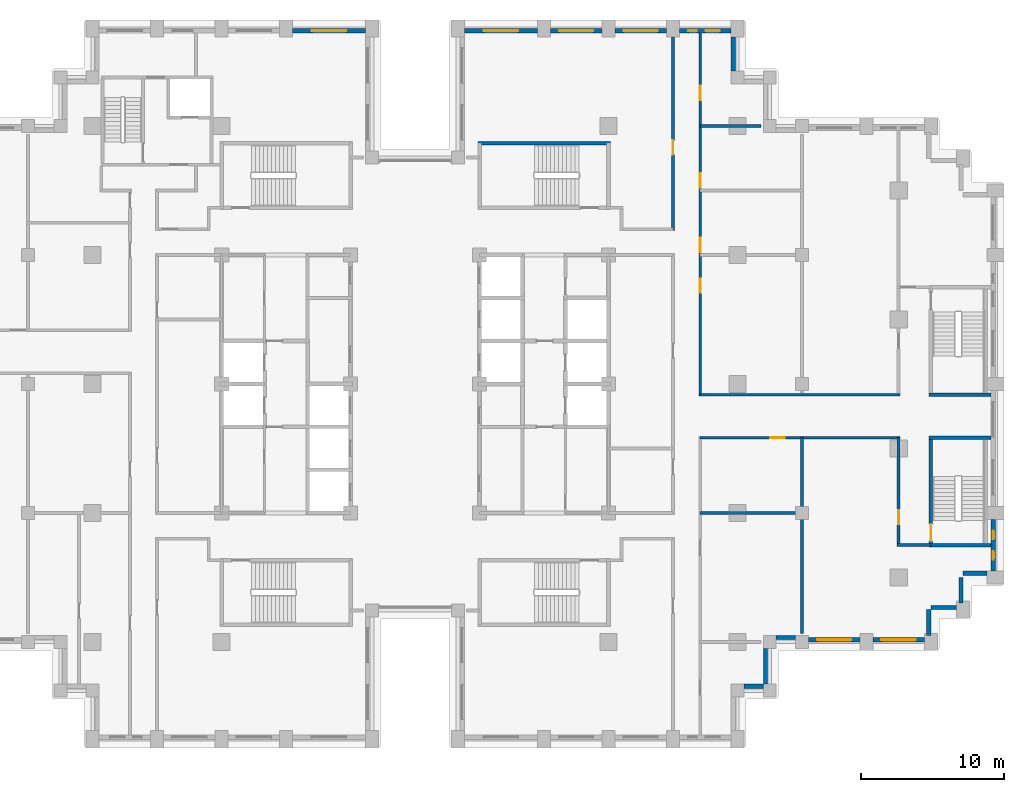
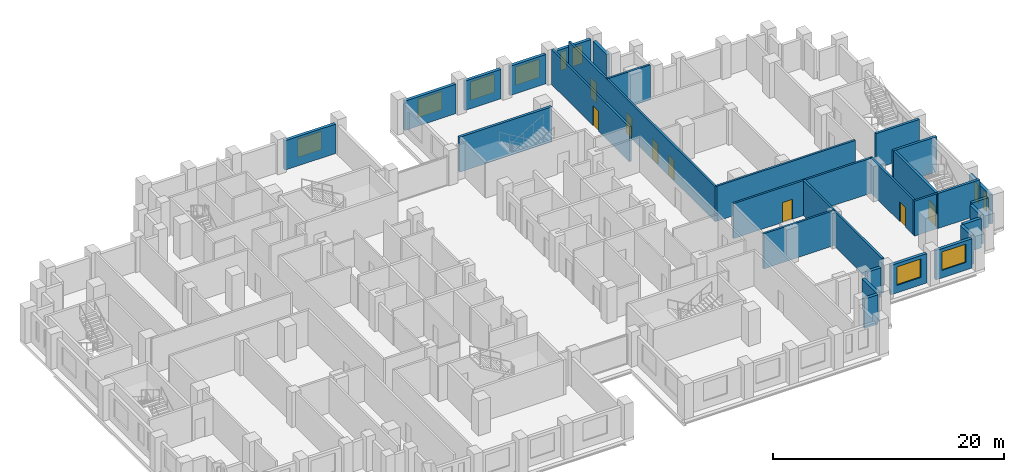
# One storey, part 11 of 15: 30 walls, 10 windows, 8 doors, 18 openings.
"""IFC4 building model written with IfcOpenShell, lengths in metres."""

from ifc_helpers import new_model, si_unit, direction, frame, frame_2d, origin, place, context, subcontext, project, spatial, rectangle, extrude, material, layer, layer_set, type_object, element, fill, save


model = new_model("IFC4")

# Units and contexts
model_context = context("Model", 3, precision=1e-05, world=origin(), true_north=direction((0.0, 1.0)))
body_context = subcontext(model_context, "Body", "Model", "MODEL_VIEW")
ifc_project = project(units=[si_unit("LENGTHUNIT", "METRE"), si_unit("AREAUNIT", "SQUARE_METRE"), si_unit("VOLUMEUNIT", "CUBIC_METRE"), si_unit("PLANEANGLEUNIT", "RADIAN"), si_unit("MASSUNIT", "GRAM", prefix="KILO")], contexts=[model_context])

# Site, building, storey
site_placement = place(None, origin())
site = spatial("IfcSite", under=ifc_project, at=site_placement, CompositionType="ELEMENT")
building_placement = place(site_placement, origin())
building = spatial("IfcBuilding", under=site, at=building_placement, Name="Corbelhall Arena Tower", CompositionType="ELEMENT")
storey_placement = place(building_placement, frame((0.0, 0.0, 92.0)))
storey = spatial("IfcBuildingStorey", under=building, at=storey_placement, Name="L15", CompositionType="ELEMENT", Elevation=92.0)

# Walls
ifc_material_1 = material(Name="Precast concrete C40/50 with granite facing", Category="masonry")
ifc_layer_1 = layer(ifc_material_1, 0.300048828125)
ifc_layer_set_1 = layer_set([ifc_layer_1], Name="EV-IW1 Infill panel 300")
wall_type_1 = type_object("IfcWallType", Name="EV-IW1 Infill panel 300", PredefinedType="SOLIDWALL", material=ifc_layer_set_1)
for number, where, z_axis, x_axis, name in (
    (1, (35.85009765625, -17.550048828125, 0.0), (0.0, 0.0, 1.0), (0.0, 1.0, 0.0), "Infill panel IW1"),
    (2, (37.800048828125, -15.60009765625, 0.0), (0.0, 0.0, 1.0), (-1.0, 0.0, 0.0), "Infill panel IW1"),
    (3, (38.10009765625, -15.300048828125, 0.0), (0.0, 0.0, 1.0), (0.0, 1.0, 0.0), "Infill panel IW1"),
):
    element("IfcWall", number, at=place(storey_placement, frame(where, z_axis=z_axis, x_axis=x_axis)), inside=storey, type_object=wall_type_1, Name=name, PredefinedType="SOLIDWALL", context=body_context, shape_type="SweptSolid", body=[
        extrude(rectangle(XDim=1.800048828125, YDim=0.300048828125, at=frame_2d((0.89990234375, 0.0))), origin(), (0.0, 0.0, 1.0), 3.10009765625),
    ])
wall_1_placement = place(storey_placement, frame((39.89990234375, -13.199951171875, 0.0), z_axis=(0.0, 0.0, 1.0), x_axis=(-1.0, 0.0, 0.0)))
element("IfcWall", 4, at=wall_1_placement, inside=storey, type_object=wall_type_1, Name="Infill panel IW1", PredefinedType="SOLIDWALL", context=body_context, shape_type="SweptSolid", body=[
    extrude(rectangle(XDim=1.64990234375, YDim=0.300048828125, at=frame_2d((0.824951171875, 0.0))), origin(), (0.0, 0.0, 1.0), 3.10009765625),
])
wall_2_placement = place(storey_placement, frame((22.949951171875, -21.10009765625, 0.0), z_axis=(0.0, 0.0, 1.0), x_axis=(1.0, 0.0, 0.0)))
element("IfcWall", 5, at=wall_2_placement, inside=storey, type_object=wall_type_1, Name="Infill panel IW1", PredefinedType="SOLIDWALL", context=body_context, shape_type="SweptSolid", body=[
    extrude(rectangle(XDim=1.35009765625, YDim=0.300048828125, at=frame_2d((0.675048828125, 0.0))), origin(), (0.0, 0.0, 1.0), 3.10009765625),
])
wall_3_placement = place(storey_placement, frame((24.449951171875, -20.949951171875, 0.0), z_axis=(0.0, 0.0, 1.0), x_axis=(0.0, 1.0, 0.0)))
element("IfcWall", 6, at=wall_3_placement, inside=storey, type_object=wall_type_1, Name="Infill panel IW1", PredefinedType="SOLIDWALL", context=body_context, shape_type="SweptSolid", body=[
    extrude(rectangle(XDim=2.5, YDim=0.300048828125, at=frame_2d((1.25, 0.0))), origin(), (0.0, 0.0, 1.0), 3.10009765625),
])
wall_4_placement = place(storey_placement, frame((25.199951171875, -17.699951171875, 0.0), z_axis=(0.0, 0.0, 1.0), x_axis=(1.0, 0.0, 0.0)))
element("IfcWall", 7, at=wall_4_placement, inside=storey, type_object=wall_type_1, Name="Infill panel IW1", PredefinedType="SOLIDWALL", context=body_context, shape_type="SweptSolid", body=[
    extrude(rectangle(XDim=1.35009765625, YDim=0.300048828125, at=frame_2d((0.675048828125, 0.0))), origin(), (0.0, 0.0, 1.0), 3.10009765625),
])

# Wall, opening, window
wall_5_placement = place(storey_placement, frame((27.449951171875, -17.85009765625, 0.0), z_axis=(0.0, 0.0, 1.0), x_axis=(1.0, 0.0, 0.0)))
wall_5 = element("IfcWall", 8, at=wall_5_placement, inside=storey, type_object=wall_type_1, Name="Infill panel IW1", PredefinedType="SOLIDWALL", context=body_context, shape_type="SweptSolid", body=[
    extrude(rectangle(XDim=3.60009765625, YDim=0.300048828125, at=frame_2d((1.800048828125, 0.0))), origin(), (0.0, 0.0, 1.0), 3.10009765625),
])
opening_1_placement = place(wall_5_placement, frame((0.60009765625, 0.0, 0.800048828125)))
opening_1 = element("IfcOpeningElement", 9, at=opening_1_placement, cuts=wall_5, Name="Opening WN1", PredefinedType="OPENING", context=body_context, shape_type="SweptSolid", body=[
    extrude(rectangle(XDim=2.39990234375, YDim=1.949951171875, at=frame_2d((1.199951171875, 0.97509765625))), frame((0.0, 0.14990234375, 0.0), z_axis=(0.0, -1.0, 0.0), x_axis=(1.0, 0.0, 0.0)), (0.0, 0.0, 1.0), 0.300048828125),
])
ifc_material_2 = material(Name="Aluminium black anodised", Category="aluminium")
window_type_1 = type_object("IfcWindowType", Name="EV-WN1 Office window", PartitioningType="SINGLE_PANEL", PredefinedType="WINDOW", material=ifc_material_2)
window_1_placement = place(opening_1_placement, origin())
window_1 = element("IfcWindow", 10, at=window_1_placement, inside=storey, type_object=window_type_1, Name="Window WN1", OverallHeight=1.949951171875, OverallWidth=2.39990234375, PartitioningType="SINGLE_PANEL", PredefinedType="WINDOW", context=body_context, shape_type="SweptSolid", body=[
    extrude(rectangle(XDim=2.39990234375, YDim=1.949951171875, at=frame_2d((1.199951171875, 0.97509765625))), frame((0.0, 0.030029296875, 0.0), z_axis=(0.0, -1.0, 0.0), x_axis=(1.0, 0.0, 0.0)), (0.0, 0.0, 1.0), 0.06005859375),
])
fill(opening_1, window_1)

wall_6_placement = place(storey_placement, frame((31.949951171875, -17.85009765625, 0.0), z_axis=(0.0, 0.0, 1.0), x_axis=(1.0, 0.0, 0.0)))
wall_6 = element("IfcWall", 11, at=wall_6_placement, inside=storey, type_object=wall_type_1, Name="Infill panel IW1", PredefinedType="SOLIDWALL", context=body_context, shape_type="SweptSolid", body=[
    extrude(rectangle(XDim=3.60009765625, YDim=0.300048828125, at=frame_2d((1.800048828125, 0.0))), origin(), (0.0, 0.0, 1.0), 3.10009765625),
])
opening_2_placement = place(wall_6_placement, frame((0.60009765625, 0.0, 0.800048828125)))
opening_2 = element("IfcOpeningElement", 12, at=opening_2_placement, cuts=wall_6, Name="Opening WN1", PredefinedType="OPENING", context=body_context, shape_type="SweptSolid", body=[
    extrude(rectangle(XDim=2.39990234375, YDim=1.949951171875, at=frame_2d((1.199951171875, 0.97509765625))), frame((0.0, 0.14990234375, 0.0), z_axis=(0.0, -1.0, 0.0), x_axis=(1.0, 0.0, 0.0)), (0.0, 0.0, 1.0), 0.300048828125),
])
window_2_placement = place(opening_2_placement, origin())
window_2 = element("IfcWindow", 13, at=window_2_placement, inside=storey, type_object=window_type_1, Name="Window WN1", OverallHeight=1.949951171875, OverallWidth=2.39990234375, PartitioningType="SINGLE_PANEL", PredefinedType="WINDOW", context=body_context, shape_type="SweptSolid", body=[
    extrude(rectangle(XDim=2.39990234375, YDim=1.949951171875, at=frame_2d((1.199951171875, 0.97509765625))), frame((0.0, 0.030029296875, 0.0), z_axis=(0.0, -1.0, 0.0), x_axis=(1.0, 0.0, 0.0)), (0.0, 0.0, 1.0), 0.06005859375),
])
fill(opening_2, window_2)

# Wall, openings, windows
wall_7_placement = place(storey_placement, frame((40.35009765625, -13.050048828125, 0.0), z_axis=(0.0, 0.0, 1.0), x_axis=(0.0, 1.0, 0.0)))
wall_7 = element("IfcWall", 14, at=wall_7_placement, inside=storey, type_object=wall_type_1, Name="Infill panel IW1", PredefinedType="SOLIDWALL", context=body_context, shape_type="SweptSolid", body=[
    extrude(rectangle(XDim=3.60009765625, YDim=0.300048828125, at=frame_2d((1.800048828125, 0.0))), origin(), (0.0, 0.0, 1.0), 3.10009765625),
])
opening_3_placement = place(wall_7_placement, frame((0.78759765625, 0.0, 0.800048828125)))
opening_3 = element("IfcOpeningElement", 15, at=opening_3_placement, cuts=wall_7, Name="Opening WN5", PredefinedType="OPENING", context=body_context, shape_type="SweptSolid", body=[
    extrude(rectangle(XDim=0.60009765625, YDim=1.949951171875, at=frame_2d((0.300048828125, 0.97509765625))), frame((0.0, 0.14990234375, 0.0), z_axis=(0.0, -1.0, 0.0), x_axis=(1.0, 0.0, 0.0)), (0.0, 0.0, 1.0), 0.300048828125),
])
opening_4_placement = place(wall_7_placement, frame((2.21240234375, 0.0, 0.800048828125)))
opening_4 = element("IfcOpeningElement", 16, at=opening_4_placement, cuts=wall_7, Name="Opening WN5", PredefinedType="OPENING", context=body_context, shape_type="SweptSolid", body=[
    extrude(rectangle(XDim=0.60009765625, YDim=1.949951171875, at=frame_2d((0.300048828125, 0.97509765625))), frame((0.0, 0.14990234375, 0.0), z_axis=(0.0, -1.0, 0.0), x_axis=(1.0, 0.0, 0.0)), (0.0, 0.0, 1.0), 0.300048828125),
])
window_type_2 = type_object("IfcWindowType", Name="EV-WN5 Office window 600", PartitioningType="SINGLE_PANEL", PredefinedType="WINDOW", material=ifc_material_2)
window_3_placement = place(opening_3_placement, origin())
window_3 = element("IfcWindow", 17, at=window_3_placement, inside=storey, type_object=window_type_2, Name="Window WN5", OverallHeight=1.949951171875, OverallWidth=0.60009765625, PartitioningType="SINGLE_PANEL", PredefinedType="WINDOW", context=body_context, shape_type="SweptSolid", body=[
    extrude(rectangle(XDim=0.60009765625, YDim=1.949951171875, at=frame_2d((0.300048828125, 0.97509765625))), frame((0.0, 0.030029296875, 0.0), z_axis=(0.0, -1.0, 0.0), x_axis=(1.0, 0.0, 0.0)), (0.0, 0.0, 1.0), 0.06005859375),
])
fill(opening_3, window_3)
window_4_placement = place(opening_4_placement, origin())
window_4 = element("IfcWindow", 18, at=window_4_placement, inside=storey, type_object=window_type_2, Name="Window WN5", OverallHeight=1.949951171875, OverallWidth=0.60009765625, PartitioningType="SINGLE_PANEL", PredefinedType="WINDOW", context=body_context, shape_type="SweptSolid", body=[
    extrude(rectangle(XDim=0.60009765625, YDim=1.949951171875, at=frame_2d((0.300048828125, 0.97509765625))), frame((0.0, 0.030029296875, 0.0), z_axis=(0.0, -1.0, 0.0), x_axis=(1.0, 0.0, 0.0)), (0.0, 0.0, 1.0), 0.06005859375),
])
fill(opening_4, window_4)

# Wall
wall_8_placement = place(storey_placement, frame((22.199951171875, 21.85009765625, 0.0), z_axis=(0.0, 0.0, 1.0), x_axis=(0.0, 1.0, 0.0)))
element("IfcWall", 19, at=wall_8_placement, inside=storey, type_object=wall_type_1, Name="Infill panel IW1", PredefinedType="SOLIDWALL", context=body_context, shape_type="SweptSolid", body=[
    extrude(rectangle(XDim=2.349853515625, YDim=0.300048828125, at=frame_2d((1.1748046875, 0.0))), origin(), (0.0, 0.0, 1.0), 3.10009765625),
])

# Wall, openings, windows
wall_9_placement = place(storey_placement, frame((22.050048828125, 24.64990234375, 0.0), z_axis=(0.0, 0.0, 1.0), x_axis=(-1.0, 0.0, 0.0)))
wall_9 = element("IfcWall", 20, at=wall_9_placement, inside=storey, type_object=wall_type_1, Name="Infill panel IW1", PredefinedType="SOLIDWALL", context=body_context, shape_type="SweptSolid", body=[
    extrude(rectangle(XDim=3.60009765625, YDim=0.300048828125, at=frame_2d((1.800048828125, 0.0))), origin(), (0.0, 0.0, 1.0), 3.10009765625),
])
opening_5_placement = place(wall_9_placement, frame((0.77490234375, 0.0, 0.800048828125)))
opening_5 = element("IfcOpeningElement", 21, at=opening_5_placement, cuts=wall_9, Name="Opening WN6", PredefinedType="OPENING", context=body_context, shape_type="SweptSolid", body=[
    extrude(rectangle(XDim=1.0, YDim=1.949951171875, at=frame_2d((0.5, 0.97509765625))), frame((0.0, 0.14990234375, 0.0), z_axis=(0.0, -1.0, 0.0), x_axis=(1.0, 0.0, 0.0)), (0.0, 0.0, 1.0), 0.300048828125),
])
opening_6_placement = place(wall_9_placement, frame((2.375, 0.0, 0.800048828125)))
opening_6 = element("IfcOpeningElement", 22, at=opening_6_placement, cuts=wall_9, Name="Opening WN5", PredefinedType="OPENING", context=body_context, shape_type="SweptSolid", body=[
    extrude(rectangle(XDim=0.60009765625, YDim=1.949951171875, at=frame_2d((0.300048828125, 0.97509765625))), frame((0.0, 0.14990234375, 0.0), z_axis=(0.0, -1.0, 0.0), x_axis=(1.0, 0.0, 0.0)), (0.0, 0.0, 1.0), 0.300048828125),
])
window_5_placement = place(opening_6_placement, origin())
window_5 = element("IfcWindow", 23, at=window_5_placement, inside=storey, type_object=window_type_2, Name="Window WN5", OverallHeight=1.949951171875, OverallWidth=0.60009765625, PartitioningType="SINGLE_PANEL", PredefinedType="WINDOW", context=body_context, shape_type="SweptSolid", body=[
    extrude(rectangle(XDim=0.60009765625, YDim=1.949951171875, at=frame_2d((0.300048828125, 0.97509765625))), frame((0.0, 0.030029296875, 0.0), z_axis=(0.0, -1.0, 0.0), x_axis=(1.0, 0.0, 0.0)), (0.0, 0.0, 1.0), 0.06005859375),
])
fill(opening_6, window_5)
window_type_3 = type_object("IfcWindowType", Name="EV-WN6 Office window 1000", PartitioningType="SINGLE_PANEL", PredefinedType="WINDOW", material=ifc_material_2)
window_6_placement = place(opening_5_placement, origin())
window_6 = element("IfcWindow", 24, at=window_6_placement, inside=storey, type_object=window_type_3, Name="Window WN6", OverallHeight=1.949951171875, OverallWidth=1.0, PartitioningType="SINGLE_PANEL", PredefinedType="WINDOW", context=body_context, shape_type="SweptSolid", body=[
    extrude(rectangle(XDim=1.0, YDim=1.949951171875, at=frame_2d((0.5, 0.97509765625))), frame((0.0, 0.030029296875, 0.0), z_axis=(0.0, -1.0, 0.0), x_axis=(1.0, 0.0, 0.0)), (0.0, 0.0, 1.0), 0.06005859375),
])
fill(opening_5, window_6)

# Wall, opening, window
wall_10_placement = place(storey_placement, frame((17.550048828125, 24.64990234375, 0.0), z_axis=(0.0, 0.0, 1.0), x_axis=(-1.0, 0.0, 0.0)))
wall_10 = element("IfcWall", 25, at=wall_10_placement, inside=storey, type_object=wall_type_1, Name="Infill panel IW1", PredefinedType="SOLIDWALL", context=body_context, shape_type="SweptSolid", body=[
    extrude(rectangle(XDim=3.60009765625, YDim=0.300048828125, at=frame_2d((1.800048828125, 0.0))), origin(), (0.0, 0.0, 1.0), 3.10009765625),
])
opening_7_placement = place(wall_10_placement, frame((0.60009765625, 0.0, 0.800048828125)))
opening_7 = element("IfcOpeningElement", 26, at=opening_7_placement, cuts=wall_10, Name="Opening WN1", PredefinedType="OPENING", context=body_context, shape_type="SweptSolid", body=[
    extrude(rectangle(XDim=2.39990234375, YDim=1.949951171875, at=frame_2d((1.199951171875, 0.97509765625))), frame((0.0, 0.14990234375, 0.0), z_axis=(0.0, -1.0, 0.0), x_axis=(1.0, 0.0, 0.0)), (0.0, 0.0, 1.0), 0.300048828125),
])
window_7_placement = place(opening_7_placement, origin())
window_7 = element("IfcWindow", 27, at=window_7_placement, inside=storey, type_object=window_type_1, Name="Window WN1", OverallHeight=1.949951171875, OverallWidth=2.39990234375, PartitioningType="SINGLE_PANEL", PredefinedType="WINDOW", context=body_context, shape_type="SweptSolid", body=[
    extrude(rectangle(XDim=2.39990234375, YDim=1.949951171875, at=frame_2d((1.199951171875, 0.97509765625))), frame((0.0, 0.030029296875, 0.0), z_axis=(0.0, -1.0, 0.0), x_axis=(1.0, 0.0, 0.0)), (0.0, 0.0, 1.0), 0.06005859375),
])
fill(opening_7, window_7)

wall_11_placement = place(storey_placement, frame((13.050048828125, 24.64990234375, 0.0), z_axis=(0.0, 0.0, 1.0), x_axis=(-1.0, 0.0, 0.0)))
wall_11 = element("IfcWall", 28, at=wall_11_placement, inside=storey, type_object=wall_type_1, Name="Infill panel IW1", PredefinedType="SOLIDWALL", context=body_context, shape_type="SweptSolid", body=[
    extrude(rectangle(XDim=3.60009765625, YDim=0.300048828125, at=frame_2d((1.800048828125, 0.0))), origin(), (0.0, 0.0, 1.0), 3.10009765625),
])
opening_8_placement = place(wall_11_placement, frame((0.60009765625, 0.0, 0.800048828125)))
opening_8 = element("IfcOpeningElement", 29, at=opening_8_placement, cuts=wall_11, Name="Opening WN1", PredefinedType="OPENING", context=body_context, shape_type="SweptSolid", body=[
    extrude(rectangle(XDim=2.39990234375, YDim=1.949951171875, at=frame_2d((1.199951171875, 0.97509765625))), frame((0.0, 0.14990234375, 0.0), z_axis=(0.0, -1.0, 0.0), x_axis=(1.0, 0.0, 0.0)), (0.0, 0.0, 1.0), 0.300048828125),
])
window_8_placement = place(opening_8_placement, origin())
window_8 = element("IfcWindow", 30, at=window_8_placement, inside=storey, type_object=window_type_1, Name="Window WN1", OverallHeight=1.949951171875, OverallWidth=2.39990234375, PartitioningType="SINGLE_PANEL", PredefinedType="WINDOW", context=body_context, shape_type="SweptSolid", body=[
    extrude(rectangle(XDim=2.39990234375, YDim=1.949951171875, at=frame_2d((1.199951171875, 0.97509765625))), frame((0.0, 0.030029296875, 0.0), z_axis=(0.0, -1.0, 0.0), x_axis=(1.0, 0.0, 0.0)), (0.0, 0.0, 1.0), 0.06005859375),
])
fill(opening_8, window_8)

wall_12_placement = place(storey_placement, frame((8.550048828125, 24.64990234375, 0.0), z_axis=(0.0, 0.0, 1.0), x_axis=(-1.0, 0.0, 0.0)))
wall_12 = element("IfcWall", 31, at=wall_12_placement, inside=storey, type_object=wall_type_1, Name="Infill panel IW1", PredefinedType="SOLIDWALL", context=body_context, shape_type="SweptSolid", body=[
    extrude(rectangle(XDim=5.10009765625, YDim=0.300048828125, at=frame_2d((2.550048828125, 0.0))), origin(), (0.0, 0.0, 1.0), 3.10009765625),
])
opening_9_placement = place(wall_12_placement, frame((1.35009765625, 0.0, 0.800048828125)))
opening_9 = element("IfcOpeningElement", 32, at=opening_9_placement, cuts=wall_12, Name="Opening WN1", PredefinedType="OPENING", context=body_context, shape_type="SweptSolid", body=[
    extrude(rectangle(XDim=2.39990234375, YDim=1.949951171875, at=frame_2d((1.199951171875, 0.97509765625))), frame((0.0, 0.14990234375, 0.0), z_axis=(0.0, -1.0, 0.0), x_axis=(1.0, 0.0, 0.0)), (0.0, 0.0, 1.0), 0.300048828125),
])
window_9_placement = place(opening_9_placement, origin())
window_9 = element("IfcWindow", 33, at=window_9_placement, inside=storey, type_object=window_type_1, Name="Window WN1", OverallHeight=1.949951171875, OverallWidth=2.39990234375, PartitioningType="SINGLE_PANEL", PredefinedType="WINDOW", context=body_context, shape_type="SweptSolid", body=[
    extrude(rectangle(XDim=2.39990234375, YDim=1.949951171875, at=frame_2d((1.199951171875, 0.97509765625))), frame((0.0, 0.030029296875, 0.0), z_axis=(0.0, -1.0, 0.0), x_axis=(1.0, 0.0, 0.0)), (0.0, 0.0, 1.0), 0.06005859375),
])
fill(opening_9, window_9)

wall_13_placement = place(storey_placement, frame((-3.449951171875, 24.64990234375, 0.0), z_axis=(0.0, 0.0, 1.0), x_axis=(-1.0, 0.0, 0.0)))
wall_13 = element("IfcWall", 34, at=wall_13_placement, inside=storey, type_object=wall_type_1, Name="Infill panel IW1", PredefinedType="SOLIDWALL", context=body_context, shape_type="SweptSolid", body=[
    extrude(rectangle(XDim=5.10009765625, YDim=0.300048828125, at=frame_2d((2.550048828125, 0.0))), origin(), (0.0, 0.0, 1.0), 3.10009765625),
])
opening_10_placement = place(wall_13_placement, frame((1.35009765625, 0.0, 0.800048828125)))
opening_10 = element("IfcOpeningElement", 35, at=opening_10_placement, cuts=wall_13, Name="Opening WN1", PredefinedType="OPENING", context=body_context, shape_type="SweptSolid", body=[
    extrude(rectangle(XDim=2.39990234375, YDim=1.949951171875, at=frame_2d((1.199951171875, 0.97509765625))), frame((0.0, 0.14990234375, 0.0), z_axis=(0.0, -1.0, 0.0), x_axis=(1.0, 0.0, 0.0)), (0.0, 0.0, 1.0), 0.300048828125),
])
window_10_placement = place(opening_10_placement, origin())
window_10 = element("IfcWindow", 36, at=window_10_placement, inside=storey, type_object=window_type_1, Name="Window WN1", OverallHeight=1.949951171875, OverallWidth=2.39990234375, PartitioningType="SINGLE_PANEL", PredefinedType="WINDOW", context=body_context, shape_type="SweptSolid", body=[
    extrude(rectangle(XDim=2.39990234375, YDim=1.949951171875, at=frame_2d((1.199951171875, 0.97509765625))), frame((0.0, 0.030029296875, 0.0), z_axis=(0.0, -1.0, 0.0), x_axis=(1.0, 0.0, 0.0)), (0.0, 0.0, 1.0), 0.06005859375),
])
fill(opening_10, window_10)

# Wall, opening, door
ifc_material_3 = material(Name="Gypsum board on steel stud, acoustic", Category="steel")
ifc_layer_2 = layer(ifc_material_3, 0.199951171875)
ifc_layer_set_2 = layer_set([ifc_layer_2], Name="IN-W-DM200")
wall_type_2 = type_object("IfcWallType", Name="IN-W-DM200", PredefinedType="PARTITIONING", material=ifc_layer_set_2)
wall_14_placement = place(storey_placement, frame((18.0, 10.699951171875, 0.0), z_axis=(0.0, 0.0, 1.0), x_axis=(0.0, 1.0, 0.0)))
wall_14 = element("IfcWall", 37, at=wall_14_placement, inside=storey, type_object=wall_type_2, Name="Partition 047", PredefinedType="PARTITIONING", context=body_context, shape_type="SweptSolid", body=[
    extrude(rectangle(XDim=13.5, YDim=0.199951171875, at=frame_2d((6.75, 0.0))), origin(), (0.0, 0.0, 1.0), 3.699951171875),
])
opening_11_placement = place(wall_14_placement, frame((5.300048828125, 0.0, 0.0)))
opening_11 = element("IfcOpeningElement", 38, at=opening_11_placement, cuts=wall_14, Name="Opening 03026", PredefinedType="OPENING", context=body_context, shape_type="SweptSolid", body=[
    extrude(rectangle(XDim=1.0, YDim=2.10009765625, at=frame_2d((0.5, 1.050048828125))), frame((0.0, 0.10009765625, 0.0), z_axis=(0.0, -1.0, 0.0), x_axis=(1.0, 0.0, 0.0)), (0.0, 0.0, 1.0), 0.199951171875),
])
ifc_material_4 = material(Name="Steel door set", Category="steel")
door_type_1 = type_object("IfcDoorType", Name="IN-D-SW100", OperationType="NOTDEFINED", PredefinedType="DOOR", material=ifc_material_4)
door_1_placement = place(opening_11_placement, origin())
door_1 = element("IfcDoor", 39, at=door_1_placement, inside=storey, type_object=door_type_1, Name="Door 026", OperationType="SINGLE_SWING_LEFT", OverallHeight=2.10009765625, OverallWidth=1.0, PredefinedType="DOOR", context=body_context, shape_type="SweptSolid", body=[
    extrude(rectangle(XDim=1.0, YDim=2.10009765625, at=frame_2d((0.5, 1.050048828125))), frame((0.0, 0.02490234375, 0.0), z_axis=(0.0, -1.0, 0.0), x_axis=(1.0, 0.0, 0.0)), (0.0, 0.0, 1.0), 0.050048828125),
])
fill(opening_11, door_1)

# Walls
wall_15_placement = place(storey_placement, frame((19.89990234375, -9.0, 0.0), z_axis=(0.0, 0.0, 1.0), x_axis=(1.0, 0.0, 0.0)))
element("IfcWall", 40, at=wall_15_placement, inside=storey, type_object=wall_type_2, Name="Partition 050", PredefinedType="PARTITIONING", context=body_context, shape_type="SweptSolid", body=[
    extrude(rectangle(XDim=7.2001953125, YDim=0.199951171875, at=frame_2d((3.60009765625, 0.0))), origin(), (0.0, 0.0, 1.0), 3.699951171875),
])
wall_16_placement = place(storey_placement, frame((19.89990234375, -0.75, 0.0), z_axis=(0.0, 0.0, 1.0), x_axis=(1.0, 0.0, 0.0)))
element("IfcWall", 41, at=wall_16_placement, inside=storey, type_object=wall_type_2, Name="Partition 051", PredefinedType="PARTITIONING", context=body_context, shape_type="SweptSolid", body=[
    extrude(rectangle(XDim=13.9501953125, YDim=0.199951171875, at=frame_2d((6.97509765625, 0.0))), origin(), (0.0, 0.0, 1.0), 3.699951171875),
])

# Wall, openings, doors
wall_17_placement = place(storey_placement, frame((19.89990234375, 24.5, 0.0), z_axis=(0.0, 0.0, 1.0), x_axis=(0.0, -1.0, 0.0)))
wall_17 = element("IfcWall", 42, at=wall_17_placement, inside=storey, type_object=wall_type_2, Name="Partition 053", PredefinedType="PARTITIONING", context=body_context, shape_type="SweptSolid", body=[
    extrude(rectangle(XDim=25.35009765625, YDim=0.199951171875, at=frame_2d((12.675048828125, 0.0))), origin(), (0.0, 0.0, 1.0), 3.699951171875),
])
opening_12_placement = place(wall_17_placement, frame((17.14990234375, 0.0, 0.0)))
opening_12 = element("IfcOpeningElement", 43, at=opening_12_placement, cuts=wall_17, Name="Opening 03034", PredefinedType="OPENING", context=body_context, shape_type="SweptSolid", body=[
    extrude(rectangle(XDim=1.0, YDim=2.10009765625, at=frame_2d((0.5, 1.050048828125))), frame((0.0, 0.10009765625, 0.0), z_axis=(0.0, -1.0, 0.0), x_axis=(1.0, 0.0, 0.0)), (0.0, 0.0, 1.0), 0.199951171875),
])
opening_13_placement = place(wall_17_placement, frame((14.300048828125, 0.0, 0.0)))
opening_13 = element("IfcOpeningElement", 44, at=opening_13_placement, cuts=wall_17, Name="Opening 03035", PredefinedType="OPENING", context=body_context, shape_type="SweptSolid", body=[
    extrude(rectangle(XDim=1.0, YDim=2.10009765625, at=frame_2d((0.5, 1.050048828125))), frame((0.0, 0.10009765625, 0.0), z_axis=(0.0, -1.0, 0.0), x_axis=(1.0, 0.0, 0.0)), (0.0, 0.0, 1.0), 0.199951171875),
])
opening_14_placement = place(wall_17_placement, frame((9.800048828125, 0.0, 0.0)))
opening_14 = element("IfcOpeningElement", 45, at=opening_14_placement, cuts=wall_17, Name="Opening 03036", PredefinedType="OPENING", context=body_context, shape_type="SweptSolid", body=[
    extrude(rectangle(XDim=1.0, YDim=2.10009765625, at=frame_2d((0.5, 1.050048828125))), frame((0.0, 0.10009765625, 0.0), z_axis=(0.0, -1.0, 0.0), x_axis=(1.0, 0.0, 0.0)), (0.0, 0.0, 1.0), 0.199951171875),
])
opening_15_placement = place(wall_17_placement, frame((3.699951171875, 0.0, 0.0)))
opening_15 = element("IfcOpeningElement", 46, at=opening_15_placement, cuts=wall_17, Name="Opening 03037", PredefinedType="OPENING", context=body_context, shape_type="SweptSolid", body=[
    extrude(rectangle(XDim=1.0, YDim=2.10009765625, at=frame_2d((0.5, 1.050048828125))), frame((0.0, 0.10009765625, 0.0), z_axis=(0.0, -1.0, 0.0), x_axis=(1.0, 0.0, 0.0)), (0.0, 0.0, 1.0), 0.199951171875),
])
door_2_placement = place(opening_12_placement, origin())
door_2 = element("IfcDoor", 47, at=door_2_placement, inside=storey, type_object=door_type_1, Name="Door 034", OperationType="SINGLE_SWING_LEFT", OverallHeight=2.10009765625, OverallWidth=1.0, PredefinedType="DOOR", context=body_context, shape_type="SweptSolid", body=[
    extrude(rectangle(XDim=1.0, YDim=2.10009765625, at=frame_2d((0.5, 1.050048828125))), frame((0.0, 0.02490234375, 0.0), z_axis=(0.0, -1.0, 0.0), x_axis=(1.0, 0.0, 0.0)), (0.0, 0.0, 1.0), 0.050048828125),
])
fill(opening_12, door_2)
door_3_placement = place(opening_13_placement, origin())
door_3 = element("IfcDoor", 48, at=door_3_placement, inside=storey, type_object=door_type_1, Name="Door 035", OperationType="SINGLE_SWING_RIGHT", OverallHeight=2.10009765625, OverallWidth=1.0, PredefinedType="DOOR", context=body_context, shape_type="SweptSolid", body=[
    extrude(rectangle(XDim=1.0, YDim=2.10009765625, at=frame_2d((0.5, 1.050048828125))), frame((0.0, 0.02490234375, 0.0), z_axis=(0.0, -1.0, 0.0), x_axis=(1.0, 0.0, 0.0)), (0.0, 0.0, 1.0), 0.050048828125),
])
fill(opening_13, door_3)
door_4_placement = place(opening_14_placement, origin())
door_4 = element("IfcDoor", 49, at=door_4_placement, inside=storey, type_object=door_type_1, Name="Door 036", OperationType="SINGLE_SWING_LEFT", OverallHeight=2.10009765625, OverallWidth=1.0, PredefinedType="DOOR", context=body_context, shape_type="SweptSolid", body=[
    extrude(rectangle(XDim=1.0, YDim=2.10009765625, at=frame_2d((0.5, 1.050048828125))), frame((0.0, 0.02490234375, 0.0), z_axis=(0.0, -1.0, 0.0), x_axis=(1.0, 0.0, 0.0)), (0.0, 0.0, 1.0), 0.050048828125),
])
fill(opening_14, door_4)
door_5_placement = place(opening_15_placement, origin())
door_5 = element("IfcDoor", 50, at=door_5_placement, inside=storey, type_object=door_type_1, Name="Door 037", OperationType="SINGLE_SWING_RIGHT", OverallHeight=2.10009765625, OverallWidth=1.0, PredefinedType="DOOR", context=body_context, shape_type="SweptSolid", body=[
    extrude(rectangle(XDim=1.0, YDim=2.10009765625, at=frame_2d((0.5, 1.050048828125))), frame((0.0, 0.02490234375, 0.0), z_axis=(0.0, -1.0, 0.0), x_axis=(1.0, 0.0, 0.0)), (0.0, 0.0, 1.0), 0.050048828125),
])
fill(opening_15, door_5)

# Walls
wall_18_placement = place(storey_placement, frame((19.89990234375, 18.0, 0.0), z_axis=(0.0, 0.0, 1.0), x_axis=(1.0, 0.0, 0.0)))
element("IfcWall", 51, at=wall_18_placement, inside=storey, type_object=wall_type_2, Name="Partition 055", PredefinedType="PARTITIONING", context=body_context, shape_type="SweptSolid", body=[
    extrude(rectangle(XDim=4.25, YDim=0.199951171875, at=frame_2d((2.125, 0.0))), origin(), (0.0, 0.0, 1.0), 3.699951171875),
])
wall_19_placement = place(storey_placement, frame((27.0, -3.75, 0.0), z_axis=(0.0, 0.0, 1.0), x_axis=(0.0, -1.0, 0.0)))
element("IfcWall", 52, at=wall_19_placement, inside=storey, type_object=wall_type_2, Name="Partition 056", PredefinedType="PARTITIONING", context=body_context, shape_type="SweptSolid", body=[
    extrude(rectangle(XDim=13.64990234375, YDim=0.199951171875, at=frame_2d((6.824951171875, 0.0))), origin(), (0.0, 0.0, 1.0), 3.699951171875),
])

# Wall, opening, door
wall_20_placement = place(storey_placement, frame((33.85009765625, -3.75, 0.0), z_axis=(0.0, 0.0, 1.0), x_axis=(-1.0, 0.0, 0.0)))
wall_20 = element("IfcWall", 53, at=wall_20_placement, inside=storey, type_object=wall_type_2, Name="Partition 058", PredefinedType="PARTITIONING", context=body_context, shape_type="SweptSolid", body=[
    extrude(rectangle(XDim=13.9501953125, YDim=0.199951171875, at=frame_2d((6.97509765625, 0.0))), origin(), (0.0, 0.0, 1.0), 3.699951171875),
])
opening_16_placement = place(wall_20_placement, frame((8.050048828125, 0.0, 0.0)))
opening_16 = element("IfcOpeningElement", 54, at=opening_16_placement, cuts=wall_20, Name="Opening 03040", PredefinedType="OPENING", context=body_context, shape_type="SweptSolid", body=[
    extrude(rectangle(XDim=1.0, YDim=2.10009765625, at=frame_2d((0.5, 1.050048828125))), frame((0.0, 0.10009765625, 0.0), z_axis=(0.0, -1.0, 0.0), x_axis=(1.0, 0.0, 0.0)), (0.0, 0.0, 1.0), 0.199951171875),
])
door_6_placement = place(opening_16_placement, origin())
door_6 = element("IfcDoor", 55, at=door_6_placement, inside=storey, type_object=door_type_1, Name="Door 040", OperationType="SINGLE_SWING_LEFT", OverallHeight=2.10009765625, OverallWidth=1.0, PredefinedType="DOOR", context=body_context, shape_type="SweptSolid", body=[
    extrude(rectangle(XDim=1.0, YDim=2.10009765625, at=frame_2d((0.5, 1.050048828125))), frame((0.0, 0.02490234375, 0.0), z_axis=(0.0, -1.0, 0.0), x_axis=(1.0, 0.0, 0.0)), (0.0, 0.0, 1.0), 0.050048828125),
])
fill(opening_16, door_6)

wall_21_placement = place(storey_placement, frame((33.75, -11.25, 0.0), z_axis=(0.0, 0.0, 1.0), x_axis=(0.0, 1.0, 0.0)))
wall_21 = element("IfcWall", 56, at=wall_21_placement, inside=storey, type_object=wall_type_2, Name="Partition 060", PredefinedType="PARTITIONING", context=body_context, shape_type="SweptSolid", body=[
    extrude(rectangle(XDim=7.5, YDim=0.199951171875, at=frame_2d((3.75, 0.0))), origin(), (0.0, 0.0, 1.0), 3.699951171875),
])
opening_17_placement = place(wall_21_placement, frame((1.449951171875, 0.0, 0.0)))
opening_17 = element("IfcOpeningElement", 57, at=opening_17_placement, cuts=wall_21, Name="Opening 03047", PredefinedType="OPENING", context=body_context, shape_type="SweptSolid", body=[
    extrude(rectangle(XDim=1.0, YDim=2.10009765625, at=frame_2d((0.5, 1.050048828125))), frame((0.0, 0.10009765625, 0.0), z_axis=(0.0, -1.0, 0.0), x_axis=(1.0, 0.0, 0.0)), (0.0, 0.0, 1.0), 0.199951171875),
])
door_7_placement = place(opening_17_placement, origin())
door_7 = element("IfcDoor", 58, at=door_7_placement, inside=storey, type_object=door_type_1, Name="Door 047", OperationType="SINGLE_SWING_RIGHT", OverallHeight=2.10009765625, OverallWidth=1.0, PredefinedType="DOOR", context=body_context, shape_type="SweptSolid", body=[
    extrude(rectangle(XDim=1.0, YDim=2.10009765625, at=frame_2d((0.5, 1.050048828125))), frame((0.0, 0.02490234375, 0.0), z_axis=(0.0, -1.0, 0.0), x_axis=(1.0, 0.0, 0.0)), (0.0, 0.0, 1.0), 0.050048828125),
])
fill(opening_17, door_7)

# Walls
wall_22_placement = place(storey_placement, frame((36.0, -11.25, 0.0), z_axis=(0.0, 0.0, 1.0), x_axis=(-1.0, 0.0, 0.0)))
element("IfcWall", 59, at=wall_22_placement, inside=storey, type_object=wall_type_2, Name="Partition 062", PredefinedType="PARTITIONING", context=body_context, shape_type="SweptSolid", body=[
    extrude(rectangle(XDim=2.35009765625, YDim=0.199951171875, at=frame_2d((1.175048828125, 0.0))), origin(), (0.0, 0.0, 1.0), 3.699951171875),
])
ifc_material_5 = material(Name="Concrete C40/50", Category="concrete")
ifc_layer_3 = layer(ifc_material_5, 0.25)
ifc_layer_set_3 = layer_set([ifc_layer_3], Name="IN-W-ST250")
wall_type_3 = type_object("IfcWallType", Name="IN-W-ST250", PredefinedType="SOLIDWALL", material=ifc_layer_set_3)
wall_23_placement = place(storey_placement, frame((4.375, 16.800048828125, 0.0), z_axis=(0.0, 0.0, 1.0), x_axis=(1.0, 0.0, 0.0)))
element("IfcWall", 60, at=wall_23_placement, inside=storey, type_object=wall_type_3, Name="Shaft wall 110", PredefinedType="SOLIDWALL", context=body_context, shape_type="SweptSolid", body=[
    extrude(rectangle(XDim=9.25, YDim=0.25, at=frame_2d((4.625, 0.0))), origin(), (0.0, 0.0, 1.0), 3.699951171875),
])
wall_24_placement = place(storey_placement, frame((35.875, -0.75, 0.0), z_axis=(0.0, 0.0, 1.0), x_axis=(1.0, 0.0, 0.0)))
element("IfcWall", 61, at=wall_24_placement, inside=storey, type_object=wall_type_3, Name="Shaft wall 117", PredefinedType="SOLIDWALL", context=body_context, shape_type="SweptSolid", body=[
    extrude(rectangle(XDim=4.324951171875, YDim=0.25, at=frame_2d((2.16259765625, 0.0))), origin(), (0.0, 0.0, 1.0), 3.699951171875),
])

# Wall, opening, door
wall_25_placement = place(storey_placement, frame((36.0, -11.375, 0.0), z_axis=(0.0, 0.0, 1.0), x_axis=(0.0, 1.0, 0.0)))
wall_25 = element("IfcWall", 62, at=wall_25_placement, inside=storey, type_object=wall_type_3, Name="Shaft wall 118", PredefinedType="SOLIDWALL", context=body_context, shape_type="SweptSolid", body=[
    extrude(rectangle(XDim=7.625, YDim=0.25, at=frame_2d((3.8125, 0.0))), origin(), (0.0, 0.0, 1.0), 3.699951171875),
])
opening_18_placement = place(wall_25_placement, frame((0.39990234375, 0.0, 0.0)))
opening_18 = element("IfcOpeningElement", 63, at=opening_18_placement, cuts=wall_25, Name="Opening 03019", PredefinedType="OPENING", context=body_context, shape_type="SweptSolid", body=[
    extrude(rectangle(XDim=1.199951171875, YDim=2.10009765625, at=frame_2d((0.60009765625, 1.050048828125))), frame((0.0, 0.125, 0.0), z_axis=(0.0, -1.0, 0.0), x_axis=(1.0, 0.0, 0.0)), (0.0, 0.0, 1.0), 0.25),
])
door_type_2 = type_object("IfcDoorType", Name="IN-D-ST120", OperationType="NOTDEFINED", PredefinedType="DOOR", material=ifc_material_4)
door_8_placement = place(opening_18_placement, origin())
door_8 = element("IfcDoor", 64, at=door_8_placement, inside=storey, type_object=door_type_2, Name="Door 019", OperationType="SINGLE_SWING_RIGHT", OverallHeight=2.10009765625, OverallWidth=1.199951171875, PredefinedType="DOOR", context=body_context, shape_type="SweptSolid", body=[
    extrude(rectangle(XDim=1.199951171875, YDim=2.10009765625, at=frame_2d((0.60009765625, 1.050048828125))), frame((0.0, 0.02490234375, 0.0), z_axis=(0.0, -1.0, 0.0), x_axis=(1.0, 0.0, 0.0)), (0.0, 0.0, 1.0), 0.050048828125),
])
fill(opening_18, door_8)

# Walls
wall_26_placement = place(storey_placement, frame((40.199951171875, -11.25, 0.0), z_axis=(0.0, 0.0, 1.0), x_axis=(-1.0, 0.0, 0.0)))
element("IfcWall", 65, at=wall_26_placement, inside=storey, type_object=wall_type_3, Name="Shaft wall 121", PredefinedType="SOLIDWALL", context=body_context, shape_type="SweptSolid", body=[
    extrude(rectangle(XDim=4.199951171875, YDim=0.25, at=frame_2d((2.10009765625, 0.0))), origin(), (0.0, 0.0, 1.0), 3.699951171875),
])
wall_27_placement = place(storey_placement, frame((40.199951171875, -3.75, 0.0), z_axis=(0.0, 0.0, 1.0), x_axis=(-1.0, 0.0, 0.0)))
element("IfcWall", 66, at=wall_27_placement, inside=storey, type_object=wall_type_3, Name="Shaft wall 122", PredefinedType="SOLIDWALL", context=body_context, shape_type="SweptSolid", body=[
    extrude(rectangle(XDim=4.324951171875, YDim=0.25, at=frame_2d((2.16259765625, 0.0))), origin(), (0.0, 0.0, 1.0), 3.699951171875),
])

save(model, "model.ifc")
